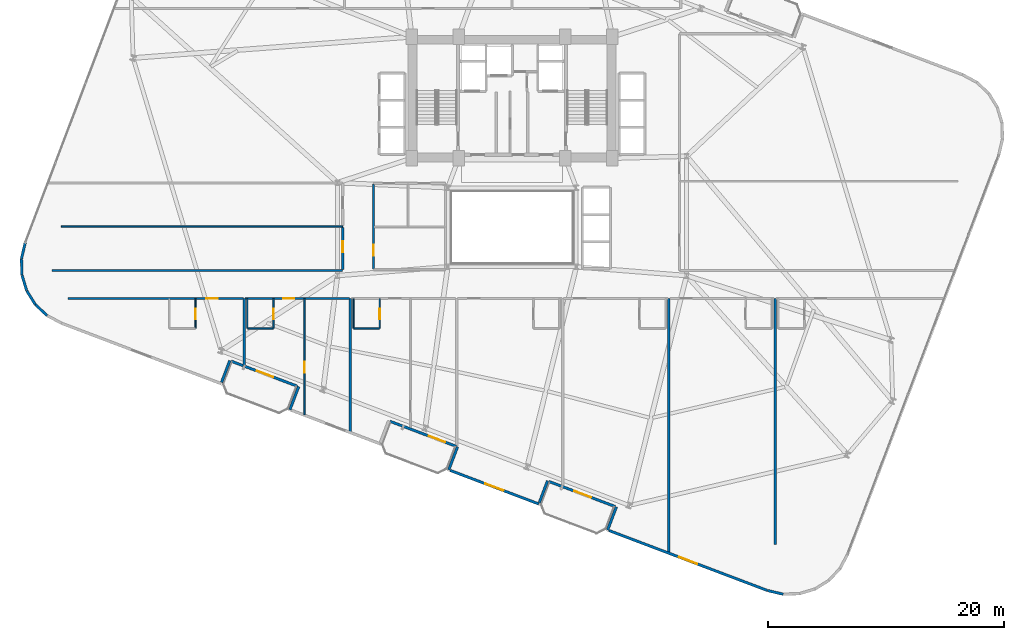
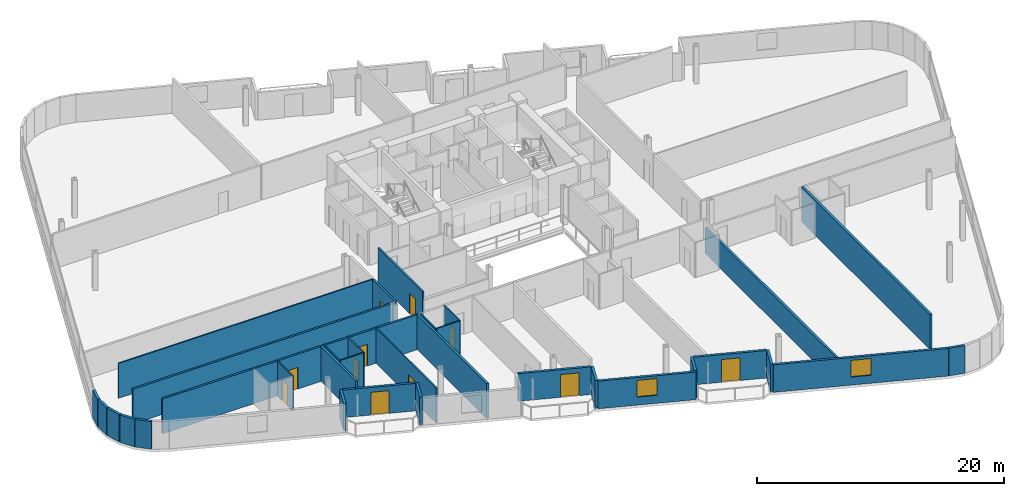
# One storey, part 17 of 25: 34 walls, 11 doors, 2 windows, 13 openings.
"""IFC4 building model written with IfcOpenShell, lengths in metres."""

from ifc_helpers import new_model, si_unit, direction, frame, frame_2d, origin, place, context, subcontext, project, spatial, rectangle, extrude, material, layer, layer_set, type_object, element, fill, save


model = new_model("IFC4")

# Units and contexts
model_context = context("Model", 3, precision=1e-05, world=origin(), true_north=direction((0.0, 1.0)))
body_context = subcontext(model_context, "Body", "Model", "MODEL_VIEW")
ifc_project = project(units=[si_unit("LENGTHUNIT", "METRE"), si_unit("AREAUNIT", "SQUARE_METRE"), si_unit("VOLUMEUNIT", "CUBIC_METRE"), si_unit("PLANEANGLEUNIT", "RADIAN"), si_unit("MASSUNIT", "GRAM", prefix="KILO")], contexts=[model_context])

# Site, building, storey
site_placement = place(None, origin())
site = spatial("IfcSite", under=ifc_project, at=site_placement, CompositionType="ELEMENT")
building_placement = place(site_placement, origin())
building = spatial("IfcBuilding", under=site, at=building_placement, Name="Varnelok Gate Tower", CompositionType="ELEMENT")
storey_placement = place(building_placement, frame((0.0, 0.0, 83.60009765625)))
storey = spatial("IfcBuildingStorey", under=building, at=storey_placement, Name="L20", CompositionType="ELEMENT", Elevation=83.60009765625)

# Wall, opening, door
ifc_material_1 = material(Name="Concrete C45/55", Category="concrete")
ifc_layer_1 = layer(ifc_material_1, 0.219970703125)
ifc_layer_set_1 = layer_set([ifc_layer_1], Name="Concrete C45/55")
wall_type_1 = type_object("IfcWallType", Name="EW-BALC-220", PredefinedType="SOLIDWALL", material=ifc_layer_set_1)
wall_1_placement = place(storey_placement, frame((21.00048828125, 9.42529296875, 0.0), z_axis=(0.0, 0.0, 1.0), x_axis=(-0.93521416643, 0.354082565101, 0.0)))
wall_1 = element("IfcWall", 1, at=wall_1_placement, inside=storey, type_object=wall_type_1, Name="L20 South Terrace Envelope Wall 1", PredefinedType="SOLIDWALL", context=body_context, shape_type="SweptSolid", body=[
    extrude(rectangle(XDim=6.0, YDim=0.219970703125, at=frame_2d((3.0, 0.0))), origin(), (0.0, 0.0, 1.0), 2.72998046875),
])
opening_1_placement = place(wall_1_placement, frame((2.176025390625, 0.0, 0.0)))
opening_1 = element("IfcOpeningElement", 2, at=opening_1_placement, cuts=wall_1, Name="Opening BD-1", PredefinedType="OPENING", context=body_context, shape_type="SweptSolid", body=[
    extrude(rectangle(XDim=1.5, YDim=2.25, at=frame_2d((0.75, 1.125))), frame((0.0, 0.119873046875, 0.0), z_axis=(0.0, -1.0, 0.0), x_axis=(1.0, 0.0, 0.0)), (0.0, 0.0, 1.0), 0.239990234375),
])
ifc_material_2 = material(Name="Anodized Aluminum Alloy 6063-T6", Category="aluminium")
door_type_1 = type_object("IfcDoorType", Name="DR-EXT-BALC1500", OperationType="NOTDEFINED", PredefinedType="DOOR", material=ifc_material_2)
door_1_placement = place(opening_1_placement, origin())
door_1 = element("IfcDoor", 3, at=door_1_placement, inside=storey, type_object=door_type_1, Name="L20 South Balcony Glazed Door 1", OperationType="SINGLE_SWING_RIGHT", OverallHeight=2.25, OverallWidth=1.5, PredefinedType="DOOR", context=body_context, shape_type="SweptSolid", body=[
    extrude(rectangle(XDim=1.5, YDim=2.25, at=frame_2d((0.75, 1.125))), frame((0.0, 0.02490234375, 0.0), z_axis=(0.0, -1.0, 0.0), x_axis=(1.0, 0.0, 0.0)), (0.0, 0.0, 1.0), 0.050048828125),
])
fill(opening_1, door_1)

wall_2_placement = place(storey_placement, frame((34.4677734375, 4.326904296875, 0.0), z_axis=(0.0, 0.0, 1.0), x_axis=(-0.9352192676, 0.354069091436, 0.0)))
wall_2 = element("IfcWall", 4, at=wall_2_placement, inside=storey, type_object=wall_type_1, Name="L20 South Terrace Envelope Wall 2", PredefinedType="SOLIDWALL", context=body_context, shape_type="SweptSolid", body=[
    extrude(rectangle(XDim=6.000244140625, YDim=0.219970703125, at=frame_2d((3.0, 0.0))), origin(), (0.0, 0.0, 1.0), 2.72998046875),
])
opening_2_placement = place(wall_2_placement, frame((0.991943359375, 0.0, 0.0)))
opening_2 = element("IfcOpeningElement", 5, at=opening_2_placement, cuts=wall_2, Name="Opening BD-1", PredefinedType="OPENING", context=body_context, shape_type="SweptSolid", body=[
    extrude(rectangle(XDim=1.5, YDim=2.25, at=frame_2d((0.75, 1.125))), frame((0.0, 0.119873046875, 0.0), z_axis=(0.0, -1.0, 0.0), x_axis=(1.0, 0.0, 0.0)), (0.0, 0.0, 1.0), 0.239990234375),
])
door_2_placement = place(opening_2_placement, origin())
door_2 = element("IfcDoor", 6, at=door_2_placement, inside=storey, type_object=door_type_1, Name="L20 South Balcony Glazed Door 2", OperationType="SINGLE_SWING_LEFT", OverallHeight=2.25, OverallWidth=1.5, PredefinedType="DOOR", context=body_context, shape_type="SweptSolid", body=[
    extrude(rectangle(XDim=1.5, YDim=2.25, at=frame_2d((0.75, 1.125))), frame((0.0, 0.02490234375, 0.0), z_axis=(0.0, -1.0, 0.0), x_axis=(1.0, 0.0, 0.0)), (0.0, 0.0, 1.0), 0.050048828125),
])
fill(opening_2, door_2)

wall_3_placement = place(storey_placement, frame((47.934814453125, -0.771484375, 0.0), z_axis=(0.0, 0.0, 1.0), x_axis=(-0.935227640088, 0.354046976001, 0.0)))
wall_3 = element("IfcWall", 7, at=wall_3_placement, inside=storey, type_object=wall_type_1, Name="L20 South Terrace Envelope Wall 3", PredefinedType="SOLIDWALL", context=body_context, shape_type="SweptSolid", body=[
    extrude(rectangle(XDim=6.0, YDim=0.219970703125, at=frame_2d((3.0, 0.0))), origin(), (0.0, 0.0, 1.0), 2.72998046875),
])
opening_3_placement = place(wall_3_placement, frame((2.176025390625, 0.0, 0.0)))
opening_3 = element("IfcOpeningElement", 8, at=opening_3_placement, cuts=wall_3, Name="Opening BD-1", PredefinedType="OPENING", context=body_context, shape_type="SweptSolid", body=[
    extrude(rectangle(XDim=1.5, YDim=2.25, at=frame_2d((0.75, 1.125))), frame((0.0, 0.119873046875, 0.0), z_axis=(0.0, -1.0, 0.0), x_axis=(1.0, 0.0, 0.0)), (0.0, 0.0, 1.0), 0.239990234375),
])
door_3_placement = place(opening_3_placement, origin())
door_3 = element("IfcDoor", 9, at=door_3_placement, inside=storey, type_object=door_type_1, Name="L20 South Balcony Glazed Door 3", OperationType="SINGLE_SWING_RIGHT", OverallHeight=2.25, OverallWidth=1.5, PredefinedType="DOOR", context=body_context, shape_type="SweptSolid", body=[
    extrude(rectangle(XDim=1.5, YDim=2.25, at=frame_2d((0.75, 1.125))), frame((0.0, 0.02490234375, 0.0), z_axis=(0.0, -1.0, 0.0), x_axis=(1.0, 0.0, 0.0)), (0.0, 0.0, 1.0), 0.050048828125),
])
fill(opening_3, door_3)

# Walls
wall_4_placement = place(storey_placement, frame((-2.072509765625, 21.571533203125, 0.0), z_axis=(0.0, 0.0, 1.0), x_axis=(-0.229049207401, -0.973414845063, 0.0)))
element("IfcWall", 10, at=wall_4_placement, inside=storey, type_object=wall_type_1, Name="L20 Perimeter Facade Closure Wall 1", PredefinedType="SOLIDWALL", context=body_context, shape_type="SweptSolid", body=[
    extrude(rectangle(XDim=1.378173828125, YDim=0.219970703125, at=frame_2d((0.68896484375, 0.0))), origin(), (0.0, 0.0, 1.0), 2.72998046875),
])
wall_5_placement = place(storey_placement, frame((-2.387451171875, 20.205078125, 0.0), z_axis=(0.0, 0.0, 1.0), x_axis=(0.030857297317, -0.999523800218, 0.0)))
element("IfcWall", 11, at=wall_5_placement, inside=storey, type_object=wall_type_1, Name="L20 Perimeter Facade Closure Wall 2", PredefinedType="SOLIDWALL", context=body_context, shape_type="SweptSolid", body=[
    extrude(rectangle(XDim=1.35302734375, YDim=0.219970703125, at=frame_2d((0.676513671875, 0.0))), origin(), (0.0, 0.0, 1.0), 2.72998046875),
])
wall_6_placement = place(storey_placement, frame((-2.33837890625, 18.82861328125, 0.0), z_axis=(0.0, 0.0, 1.0), x_axis=(0.288374187109, -0.957517795244, 0.0)))
element("IfcWall", 12, at=wall_6_placement, inside=storey, type_object=wall_type_1, Name="L20 Perimeter Facade Closure Wall 3", PredefinedType="SOLIDWALL", context=body_context, shape_type="SweptSolid", body=[
    extrude(rectangle(XDim=1.352783203125, YDim=0.219970703125, at=frame_2d((0.67626953125, 0.0))), origin(), (0.0, 0.0, 1.0), 2.72998046875),
])
wall_7_placement = place(storey_placement, frame((-1.93505859375, 17.511962890625, 0.0), z_axis=(0.0, 0.0, 1.0), x_axis=(0.526360826676, -0.850261301096, 0.0)))
element("IfcWall", 13, at=wall_7_placement, inside=storey, type_object=wall_type_1, Name="L20 Perimeter Facade Closure Wall 4", PredefinedType="SOLIDWALL", context=body_context, shape_type="SweptSolid", body=[
    extrude(rectangle(XDim=1.35302734375, YDim=0.219970703125, at=frame_2d((0.676513671875, 0.0))), origin(), (0.0, 0.0, 1.0), 2.72998046875),
])
wall_8_placement = place(storey_placement, frame((-1.20458984375, 16.344482421875, 0.0), z_axis=(0.0, 0.0, 1.0), x_axis=(0.7285124142, -0.685032599484, 0.0)))
element("IfcWall", 14, at=wall_8_placement, inside=storey, type_object=wall_type_1, Name="L20 Perimeter Facade Closure Wall 5", PredefinedType="SOLIDWALL", context=body_context, shape_type="SweptSolid", body=[
    extrude(rectangle(XDim=1.353271484375, YDim=0.219970703125, at=frame_2d((0.6767578125, 0.0))), origin(), (0.0, 0.0, 1.0), 2.72998046875),
])
wall_9_placement = place(storey_placement, frame((14.581298828125, 9.754638671875, 0.0), z_axis=(0.0, 0.0, 1.0), x_axis=(0.354061611705, 0.935222099352, 0.0)))
element("IfcWall", 15, at=wall_9_placement, inside=storey, type_object=wall_type_1, Name="L20 Perimeter Facade Closure Wall 8", PredefinedType="SOLIDWALL", context=body_context, shape_type="SweptSolid", body=[
    extrude(rectangle(XDim=1.974853515625, YDim=0.219970703125, at=frame_2d((0.9873046875, 0.0))), origin(), (0.0, 0.0, 1.0), 2.72998046875),
])
wall_10_placement = place(storey_placement, frame((21.1162109375, 9.392333984375, 0.0), z_axis=(0.0, 0.0, 1.0), x_axis=(-0.353988291547, -0.935249854022, 0.0)))
element("IfcWall", 16, at=wall_10_placement, inside=storey, type_object=wall_type_1, Name="L20 Perimeter Facade Closure Wall 9", PredefinedType="SOLIDWALL", context=body_context, shape_type="SweptSolid", body=[
    extrude(rectangle(XDim=2.10009765625, YDim=0.219970703125, at=frame_2d((1.050048828125, 0.0))), origin(), (0.0, 0.0, 1.0), 2.72998046875),
])
wall_11_placement = place(storey_placement, frame((34.58349609375, 4.293701171875, 0.0), z_axis=(0.0, 0.0, 1.0), x_axis=(-0.354128469405, -0.935196785258, 0.0)))
element("IfcWall", 17, at=wall_11_placement, inside=storey, type_object=wall_type_1, Name="L20 Perimeter Facade Closure Wall 12", PredefinedType="SOLIDWALL", context=body_context, shape_type="SweptSolid", body=[
    extrude(rectangle(XDim=2.099853515625, YDim=0.219970703125, at=frame_2d((1.0498046875, 0.0))), origin(), (0.0, 0.0, 1.0), 2.72998046875),
])

# Wall, opening, window
wall_12_placement = place(storey_placement, frame((33.956787109375, 2.28564453125, 0.0), z_axis=(0.0, 0.0, 1.0), x_axis=(0.935220736163, -0.354065212427, 0.0)))
wall_12 = element("IfcWall", 18, at=wall_12_placement, inside=storey, type_object=wall_type_1, Name="L20 Perimeter Facade Closure Wall 13", PredefinedType="SOLIDWALL", context=body_context, shape_type="SweptSolid", body=[
    extrude(rectangle(XDim=8.03515625, YDim=0.219970703125, at=frame_2d((4.017578125, 0.0))), origin(), (0.0, 0.0, 1.0), 2.72998046875),
])
opening_4_placement = place(wall_12_placement, frame((3.1923828125, 0.0, 0.800048828125)))
opening_4 = element("IfcOpeningElement", 19, at=opening_4_placement, cuts=wall_12, Name="Opening WN3", PredefinedType="OPENING", context=body_context, shape_type="SweptSolid", body=[
    extrude(rectangle(XDim=1.64990234375, YDim=1.64990234375, at=frame_2d((0.824951171875, 0.824951171875))), frame((0.0, 0.119873046875, 0.0), z_axis=(0.0, -1.0, 0.0), x_axis=(1.0, 0.0, 0.0)), (0.0, 0.0, 1.0), 0.239990234375),
])
ifc_material_3 = material(Name="Low-E Laminated Double Glazing IGU", Category="glass")
window_type = type_object("IfcWindowType", Name="WN-HTL-1650", PartitioningType="SINGLE_PANEL", PredefinedType="WINDOW", material=ifc_material_3)
window_1_placement = place(opening_4_placement, origin())
window_1 = element("IfcWindow", 20, at=window_1_placement, inside=storey, type_object=window_type, Name="L20 Perimeter Vision Window 13", OverallHeight=1.64990234375, OverallWidth=1.64990234375, PartitioningType="SINGLE_PANEL", PredefinedType="WINDOW", context=body_context, shape_type="SweptSolid", body=[
    extrude(rectangle(XDim=1.64990234375, YDim=1.64990234375, at=frame_2d((0.824951171875, 0.824951171875))), frame((0.0, 0.030029296875, 0.0), z_axis=(0.0, -1.0, 0.0), x_axis=(1.0, 0.0, 0.0)), (0.0, 0.0, 1.0), 0.06005859375),
])
fill(opening_4, window_1)

# Walls
wall_13_placement = place(storey_placement, frame((41.515625, -0.4423828125, 0.0), z_axis=(0.0, 0.0, 1.0), x_axis=(0.354061611705, 0.935222099352, 0.0)))
element("IfcWall", 21, at=wall_13_placement, inside=storey, type_object=wall_type_1, Name="L20 Perimeter Facade Closure Wall 14", PredefinedType="SOLIDWALL", context=body_context, shape_type="SweptSolid", body=[
    extrude(rectangle(XDim=1.974853515625, YDim=0.219970703125, at=frame_2d((0.9873046875, 0.0))), origin(), (0.0, 0.0, 1.0), 2.72998046875),
])
wall_14_placement = place(storey_placement, frame((48.050537109375, -0.8046875, 0.0), z_axis=(0.0, 0.0, 1.0), x_axis=(-0.353988291547, -0.935249854022, 0.0)))
element("IfcWall", 22, at=wall_14_placement, inside=storey, type_object=wall_type_1, Name="L20 Perimeter Facade Closure Wall 15", PredefinedType="SOLIDWALL", context=body_context, shape_type="SweptSolid", body=[
    extrude(rectangle(XDim=2.10009765625, YDim=0.219970703125, at=frame_2d((1.050048828125, 0.0))), origin(), (0.0, 0.0, 1.0), 2.72998046875),
])

# Wall, opening, window
wall_15_placement = place(storey_placement, frame((47.424072265625, -2.81298828125, 0.0), z_axis=(0.0, 0.0, 1.0), x_axis=(0.935225962032, -0.354051408614, 0.0)))
wall_15 = element("IfcWall", 23, at=wall_15_placement, inside=storey, type_object=wall_type_1, Name="L20 Perimeter Facade Closure Wall 16", PredefinedType="SOLIDWALL", context=body_context, shape_type="SweptSolid", body=[
    extrude(rectangle(XDim=14.346923828125, YDim=0.219970703125, at=frame_2d((7.17333984375, 0.0))), origin(), (0.0, 0.0, 1.0), 2.72998046875),
])
opening_5_placement = place(wall_15_placement, frame((6.348388671875, 0.0, 0.800048828125)))
opening_5 = element("IfcOpeningElement", 24, at=opening_5_placement, cuts=wall_15, Name="Opening WN3", PredefinedType="OPENING", context=body_context, shape_type="SweptSolid", body=[
    extrude(rectangle(XDim=1.64990234375, YDim=1.64990234375, at=frame_2d((0.824951171875, 0.824951171875))), frame((0.0, 0.119873046875, 0.0), z_axis=(0.0, -1.0, 0.0), x_axis=(1.0, 0.0, 0.0)), (0.0, 0.0, 1.0), 0.239990234375),
])
window_2_placement = place(opening_5_placement, origin())
window_2 = element("IfcWindow", 25, at=window_2_placement, inside=storey, type_object=window_type, Name="L20 Perimeter Vision Window 16", OverallHeight=1.64990234375, OverallWidth=1.64990234375, PartitioningType="SINGLE_PANEL", PredefinedType="WINDOW", context=body_context, shape_type="SweptSolid", body=[
    extrude(rectangle(XDim=1.64990234375, YDim=1.64990234375, at=frame_2d((0.824951171875, 0.824951171875))), frame((0.0, 0.030029296875, 0.0), z_axis=(0.0, -1.0, 0.0), x_axis=(1.0, 0.0, 0.0)), (0.0, 0.0, 1.0), 0.06005859375),
])
fill(opening_5, window_2)

# Wall
wall_16_placement = place(storey_placement, frame((60.8662109375, -7.8984375, 0.0), z_axis=(0.0, 0.0, 1.0), x_axis=(0.973405403345, -0.229089329169, 0.0)))
element("IfcWall", 26, at=wall_16_placement, inside=storey, type_object=wall_type_1, Name="L20 Perimeter Facade Closure Wall 17", PredefinedType="SOLIDWALL", context=body_context, shape_type="SweptSolid", body=[
    extrude(rectangle(XDim=1.36083984375, YDim=0.219970703125, at=frame_2d((0.680419921875, 0.0))), origin(), (0.0, 0.0, 1.0), 2.72998046875),
])

# Wall, opening, door
ifc_material_4 = material(Name="Gypsum Plasterboard Acoustic Partition", Category="gypsum")
ifc_layer_2 = layer(ifc_material_4, 0.179931640625)
ifc_layer_set_2 = layer_set([ifc_layer_2], Name="Gypsum Plasterboard Acoustic Partition")
wall_type_2 = type_object("IfcWallType", Name="PW-CORR-180", PredefinedType="PARTITIONING", material=ifc_layer_set_2)
wall_17_placement = place(storey_placement, frame((1.580078125, 16.85009765625, 0.0), z_axis=(0.0, 0.0, 1.0), x_axis=(1.0, 0.0, 0.0)))
wall_17 = element("IfcWall", 27, at=wall_17_placement, inside=storey, type_object=wall_type_2, Name="Interior Partition", PredefinedType="PARTITIONING", context=body_context, shape_type="SweptSolid", body=[
    extrude(rectangle(XDim=14.83984375, YDim=0.179931640625, at=frame_2d((7.419921875, 0.0))), origin(), (0.0, 0.0, 1.0), 3.449951171875),
])
opening_6_placement = place(wall_17_placement, frame((11.70458984375, 0.0, 0.0)))
opening_6 = element("IfcOpeningElement", 28, at=opening_6_placement, cuts=wall_17, Name="Opening D-HT", PredefinedType="OPENING", context=body_context, shape_type="SweptSolid", body=[
    extrude(rectangle(XDim=0.949951171875, YDim=2.14990234375, at=frame_2d((0.47509765625, 1.074951171875))), frame((0.0, 0.099853515625, 0.0), z_axis=(0.0, -1.0, 0.0), x_axis=(1.0, 0.0, 0.0)), (0.0, 0.0, 1.0), 0.199951171875),
])
ifc_material_5 = material(Name="Engineered Hardwood Timber", Category="wood")
door_type_2 = type_object("IfcDoorType", Name="DR-HTL-950", OperationType="NOTDEFINED", PredefinedType="DOOR", material=ifc_material_5)
door_4_placement = place(opening_6_placement, origin())
door_4 = element("IfcDoor", 29, at=door_4_placement, inside=storey, type_object=door_type_2, Name="L20 Guest Room 01 Entrance Door", OperationType="SINGLE_SWING_RIGHT", OverallHeight=2.14990234375, OverallWidth=0.949951171875, PredefinedType="DOOR", context=body_context, shape_type="SweptSolid", body=[
    extrude(rectangle(XDim=0.949951171875, YDim=2.14990234375, at=frame_2d((0.47509765625, 1.074951171875))), frame((0.0, 0.02490234375, 0.0), z_axis=(0.0, -1.0, 0.0), x_axis=(1.0, 0.0, 0.0)), (0.0, 0.0, 1.0), 0.050048828125),
])
fill(opening_6, door_4)

wall_18_placement = place(storey_placement, frame((16.580078125, 16.85009765625, 0.0), z_axis=(0.0, 0.0, 1.0), x_axis=(1.0, 0.0, 0.0)))
wall_18 = element("IfcWall", 30, at=wall_18_placement, inside=storey, type_object=wall_type_2, Name="Interior Partition", PredefinedType="PARTITIONING", context=body_context, shape_type="SweptSolid", body=[
    extrude(rectangle(XDim=8.83984375, YDim=0.179931640625, at=frame_2d((4.419921875, 0.0))), origin(), (0.0, 0.0, 1.0), 3.449951171875),
])
opening_7_placement = place(wall_18_placement, frame((3.22998046875, 0.0, 0.0)))
opening_7 = element("IfcOpeningElement", 31, at=opening_7_placement, cuts=wall_18, Name="Opening D-HT", PredefinedType="OPENING", context=body_context, shape_type="SweptSolid", body=[
    extrude(rectangle(XDim=0.949951171875, YDim=2.14990234375, at=frame_2d((0.47509765625, 1.074951171875))), frame((0.0, 0.099853515625, 0.0), z_axis=(0.0, -1.0, 0.0), x_axis=(1.0, 0.0, 0.0)), (0.0, 0.0, 1.0), 0.199951171875),
])
door_5_placement = place(opening_7_placement, origin())
door_5 = element("IfcDoor", 32, at=door_5_placement, inside=storey, type_object=door_type_2, Name="L20 Guest Room 02 Entrance Door", OperationType="SINGLE_SWING_LEFT", OverallHeight=2.14990234375, OverallWidth=0.949951171875, PredefinedType="DOOR", context=body_context, shape_type="SweptSolid", body=[
    extrude(rectangle(XDim=0.949951171875, YDim=2.14990234375, at=frame_2d((0.47509765625, 1.074951171875))), frame((0.0, 0.02490234375, 0.0), z_axis=(0.0, -1.0, 0.0), x_axis=(1.0, 0.0, 0.0)), (0.0, 0.0, 1.0), 0.050048828125),
])
fill(opening_7, door_5)

wall_19_placement = place(storey_placement, frame((24.85009765625, 19.300048828125, 0.0), z_axis=(0.0, 0.0, 1.0), x_axis=(0.0, 1.0, 0.0)))
wall_19 = element("IfcWall", 33, at=wall_19_placement, inside=storey, type_object=wall_type_2, Name="Interior Partition", PredefinedType="PARTITIONING", context=body_context, shape_type="SweptSolid", body=[
    extrude(rectangle(XDim=3.570068359375, YDim=0.179931640625, at=frame_2d((1.78515625, 0.0))), origin(), (0.0, 0.0, 1.0), 3.449951171875),
])
opening_8_placement = place(wall_19_placement, frame((1.49951171875, 0.0, 0.0)))
opening_8 = element("IfcOpeningElement", 34, at=opening_8_placement, cuts=wall_19, Name="Opening D-I3", PredefinedType="OPENING", context=body_context, shape_type="SweptSolid", body=[
    extrude(rectangle(XDim=0.919921875, YDim=2.050048828125, at=frame_2d((0.4599609375, 1.02490234375))), frame((0.0, 0.099853515625, 0.0), z_axis=(0.0, -1.0, 0.0), x_axis=(1.0, 0.0, 0.0)), (0.0, 0.0, 1.0), 0.199951171875),
])
door_type_3 = type_object("IfcDoorType", Name="DR-INT-920", OperationType="NOTDEFINED", PredefinedType="DOOR", material=ifc_material_5)
door_6_placement = place(opening_8_placement, origin())
door_6 = element("IfcDoor", 35, at=door_6_placement, inside=storey, type_object=door_type_3, Name="L20 West Wing Room 1 Door", OperationType="SINGLE_SWING_LEFT", OverallHeight=2.050048828125, OverallWidth=0.919921875, PredefinedType="DOOR", context=body_context, shape_type="SweptSolid", body=[
    extrude(rectangle(XDim=0.919921875, YDim=2.050048828125, at=frame_2d((0.4599609375, 1.02490234375))), frame((0.0, 0.02490234375, 0.0), z_axis=(0.0, -1.0, 0.0), x_axis=(1.0, 0.0, 0.0)), (0.0, 0.0, 1.0), 0.050048828125),
])
fill(opening_8, door_6)

# Wall
wall_20_placement = place(storey_placement, frame((0.199951171875, 19.239990234375, 0.0), z_axis=(0.0, 0.0, 1.0), x_axis=(1.0, 0.0, 0.0)))
element("IfcWall", 36, at=wall_20_placement, inside=storey, type_object=wall_type_2, Name="Interior Partition", PredefinedType="PARTITIONING", context=body_context, shape_type="SweptSolid", body=[
    extrude(rectangle(XDim=24.650146484375, YDim=0.179931640625, at=frame_2d((12.3251953125, 0.0))), origin(), (0.0, 0.0, 1.0), 3.449951171875),
])

# Wall, opening, door
ifc_layer_3 = layer(ifc_material_4, 0.114990234375)
ifc_layer_set_3 = layer_set([ifc_layer_3], Name="Gypsum Plasterboard Acoustic Partition")
wall_type_3 = type_object("IfcWallType", Name="PW-ENS-125", PredefinedType="PARTITIONING", material=ifc_layer_set_3)
wall_21_placement = place(storey_placement, frame((12.3701171875, 14.330078125, 0.0), z_axis=(0.0, 0.0, 1.0), x_axis=(0.0, 1.0, 0.0)))
wall_21 = element("IfcWall", 37, at=wall_21_placement, inside=storey, type_object=wall_type_3, Name="Interior Partition", PredefinedType="PARTITIONING", context=body_context, shape_type="SweptSolid", body=[
    extrude(rectangle(XDim=2.52001953125, YDim=0.114990234375, at=frame_2d((1.260009765625, 0.0))), origin(), (0.0, 0.0, 1.0), 3.449951171875),
])
opening_9_placement = place(wall_21_placement, frame((0.760009765625, 0.0, 0.0)))
opening_9 = element("IfcOpeningElement", 38, at=opening_9_placement, cuts=wall_21, Name="Opening D-WC", PredefinedType="OPENING", context=body_context, shape_type="SweptSolid", body=[
    extrude(rectangle(XDim=0.89990234375, YDim=2.050048828125, at=frame_2d((0.449951171875, 1.02490234375))), frame((0.0, 0.0673828125, 0.0), z_axis=(0.0, -1.0, 0.0), x_axis=(1.0, 0.0, 0.0)), (0.0, 0.0, 1.0), 0.135009765625),
])
door_type_4 = type_object("IfcDoorType", Name="DR-BATH-900", OperationType="NOTDEFINED", PredefinedType="DOOR", material=ifc_material_5)
door_7_placement = place(opening_9_placement, origin())
door_7 = element("IfcDoor", 39, at=door_7_placement, inside=storey, type_object=door_type_4, Name="L20 Guest En-Suite 01 Door", OperationType="SINGLE_SWING_LEFT", OverallHeight=2.050048828125, OverallWidth=0.89990234375, PredefinedType="DOOR", context=body_context, shape_type="SweptSolid", body=[
    extrude(rectangle(XDim=0.89990234375, YDim=2.050048828125, at=frame_2d((0.449951171875, 1.02490234375))), frame((0.0, 0.02490234375, 0.0), z_axis=(0.0, -1.0, 0.0), x_axis=(1.0, 0.0, 0.0)), (0.0, 0.0, 1.0), 0.050048828125),
])
fill(opening_9, door_7)

# Wall
wall_22_placement = place(storey_placement, frame((16.800048828125, 14.330078125, 0.0), z_axis=(0.0, 0.0, 1.0), x_axis=(1.0, 0.0, 0.0)))
element("IfcWall", 40, at=wall_22_placement, inside=storey, type_object=wall_type_3, Name="Interior Partition", PredefinedType="PARTITIONING", context=body_context, shape_type="SweptSolid", body=[
    extrude(rectangle(XDim=2.14990234375, YDim=0.114990234375, at=frame_2d((1.074951171875, 0.0))), origin(), (0.0, 0.0, 1.0), 3.449951171875),
])

# Wall, opening, door
wall_23_placement = place(storey_placement, frame((18.989990234375, 14.330078125, 0.0), z_axis=(0.0, 0.0, 1.0), x_axis=(0.0, 1.0, 0.0)))
wall_23 = element("IfcWall", 41, at=wall_23_placement, inside=storey, type_object=wall_type_3, Name="Interior Partition", PredefinedType="PARTITIONING", context=body_context, shape_type="SweptSolid", body=[
    extrude(rectangle(XDim=2.52001953125, YDim=0.114990234375, at=frame_2d((1.260009765625, 0.0))), origin(), (0.0, 0.0, 1.0), 3.449951171875),
])
opening_10_placement = place(wall_23_placement, frame((0.760009765625, 0.0, 0.0)))
opening_10 = element("IfcOpeningElement", 42, at=opening_10_placement, cuts=wall_23, Name="Opening D-WC", PredefinedType="OPENING", context=body_context, shape_type="SweptSolid", body=[
    extrude(rectangle(XDim=0.89990234375, YDim=2.050048828125, at=frame_2d((0.449951171875, 1.02490234375))), frame((0.0, 0.0673828125, 0.0), z_axis=(0.0, -1.0, 0.0), x_axis=(1.0, 0.0, 0.0)), (0.0, 0.0, 1.0), 0.135009765625),
])
door_8_placement = place(opening_10_placement, origin())
door_8 = element("IfcDoor", 43, at=door_8_placement, inside=storey, type_object=door_type_4, Name="L20 Guest En-Suite 02 Door", OperationType="SINGLE_SWING_LEFT", OverallHeight=2.050048828125, OverallWidth=0.89990234375, PredefinedType="DOOR", context=body_context, shape_type="SweptSolid", body=[
    extrude(rectangle(XDim=0.89990234375, YDim=2.050048828125, at=frame_2d((0.449951171875, 1.02490234375))), frame((0.0, 0.02490234375, 0.0), z_axis=(0.0, -1.0, 0.0), x_axis=(1.0, 0.0, 0.0)), (0.0, 0.0, 1.0), 0.050048828125),
])
fill(opening_10, door_8)

# Walls
wall_24_placement = place(storey_placement, frame((16.760009765625, 14.330078125, 0.0), z_axis=(0.0, 0.0, 1.0), x_axis=(0.0, 1.0, 0.0)))
element("IfcWall", 44, at=wall_24_placement, inside=storey, type_object=wall_type_3, Name="Interior Partition", PredefinedType="PARTITIONING", context=body_context, shape_type="SweptSolid", body=[
    extrude(rectangle(XDim=2.52001953125, YDim=0.114990234375, at=frame_2d((1.260009765625, 0.0))), origin(), (0.0, 0.0, 1.0), 3.449951171875),
])
wall_25_placement = place(storey_placement, frame((25.800048828125, 14.330078125, 0.0), z_axis=(0.0, 0.0, 1.0), x_axis=(1.0, 0.0, 0.0)))
element("IfcWall", 45, at=wall_25_placement, inside=storey, type_object=wall_type_3, Name="Interior Partition", PredefinedType="PARTITIONING", context=body_context, shape_type="SweptSolid", body=[
    extrude(rectangle(XDim=2.14990234375, YDim=0.114990234375, at=frame_2d((1.074951171875, 0.0))), origin(), (0.0, 0.0, 1.0), 3.449951171875),
])

# Wall, opening, door
wall_26_placement = place(storey_placement, frame((27.989990234375, 14.330078125, 0.0), z_axis=(0.0, 0.0, 1.0), x_axis=(0.0, 1.0, 0.0)))
wall_26 = element("IfcWall", 46, at=wall_26_placement, inside=storey, type_object=wall_type_3, Name="Interior Partition", PredefinedType="PARTITIONING", context=body_context, shape_type="SweptSolid", body=[
    extrude(rectangle(XDim=2.52001953125, YDim=0.114990234375, at=frame_2d((1.260009765625, 0.0))), origin(), (0.0, 0.0, 1.0), 3.449951171875),
])
opening_11_placement = place(wall_26_placement, frame((0.760009765625, 0.0, 0.0)))
opening_11 = element("IfcOpeningElement", 47, at=opening_11_placement, cuts=wall_26, Name="Opening D-WC", PredefinedType="OPENING", context=body_context, shape_type="SweptSolid", body=[
    extrude(rectangle(XDim=0.89990234375, YDim=2.050048828125, at=frame_2d((0.449951171875, 1.02490234375))), frame((0.0, 0.0673828125, 0.0), z_axis=(0.0, -1.0, 0.0), x_axis=(1.0, 0.0, 0.0)), (0.0, 0.0, 1.0), 0.135009765625),
])
door_9_placement = place(opening_11_placement, origin())
door_9 = element("IfcDoor", 48, at=door_9_placement, inside=storey, type_object=door_type_4, Name="L20 Guest En-Suite 03 Door", OperationType="SINGLE_SWING_LEFT", OverallHeight=2.050048828125, OverallWidth=0.89990234375, PredefinedType="DOOR", context=body_context, shape_type="SweptSolid", body=[
    extrude(rectangle(XDim=0.89990234375, YDim=2.050048828125, at=frame_2d((0.449951171875, 1.02490234375))), frame((0.0, 0.02490234375, 0.0), z_axis=(0.0, -1.0, 0.0), x_axis=(1.0, 0.0, 0.0)), (0.0, 0.0, 1.0), 0.050048828125),
])
fill(opening_11, door_9)

# Wall
wall_27_placement = place(storey_placement, frame((25.760009765625, 14.330078125, 0.0), z_axis=(0.0, 0.0, 1.0), x_axis=(0.0, 1.0, 0.0)))
element("IfcWall", 49, at=wall_27_placement, inside=storey, type_object=wall_type_3, Name="Interior Partition", PredefinedType="PARTITIONING", context=body_context, shape_type="SweptSolid", body=[
    extrude(rectangle(XDim=2.52001953125, YDim=0.114990234375, at=frame_2d((1.260009765625, 0.0))), origin(), (0.0, 0.0, 1.0), 3.449951171875),
])

# Wall, opening, door
ifc_layer_4 = layer(ifc_material_4, 0.125)
ifc_layer_set_4 = layer_set([ifc_layer_4], Name="Gypsum Plasterboard Acoustic Partition")
wall_type_4 = type_object("IfcWallType", Name="PW-PART-125", PredefinedType="PARTITIONING", material=ifc_layer_set_4)
wall_28_placement = place(storey_placement, frame((21.60009765625, 6.985107421875, 0.0), z_axis=(0.0, 0.0, 1.0), x_axis=(0.0, 1.0, 0.0)))
wall_28 = element("IfcWall", 50, at=wall_28_placement, inside=storey, type_object=wall_type_4, Name="Interior Partition", PredefinedType="PARTITIONING", context=body_context, shape_type="SweptSolid", body=[
    extrude(rectangle(XDim=9.864990234375, YDim=0.125, at=frame_2d((4.9326171875, 0.0))), origin(), (0.0, 0.0, 1.0), 3.449951171875),
])
opening_12_placement = place(wall_28_placement, frame((3.578125, 0.0, 0.0)))
opening_12 = element("IfcOpeningElement", 51, at=opening_12_placement, cuts=wall_28, Name="Opening D-I3", PredefinedType="OPENING", context=body_context, shape_type="SweptSolid", body=[
    extrude(rectangle(XDim=0.919921875, YDim=2.050048828125, at=frame_2d((0.4599609375, 1.02490234375))), frame((0.0, 0.072509765625, 0.0), z_axis=(0.0, -1.0, 0.0), x_axis=(1.0, 0.0, 0.0)), (0.0, 0.0, 1.0), 0.14501953125),
])
door_10_placement = place(opening_12_placement, origin())
door_10 = element("IfcDoor", 52, at=door_10_placement, inside=storey, type_object=door_type_3, Name="L20 Suite Bedroom Door 2", OperationType="SINGLE_SWING_LEFT", OverallHeight=2.050048828125, OverallWidth=0.919921875, PredefinedType="DOOR", context=body_context, shape_type="SweptSolid", body=[
    extrude(rectangle(XDim=0.919921875, YDim=2.050048828125, at=frame_2d((0.4599609375, 1.02490234375))), frame((0.0, 0.02490234375, 0.0), z_axis=(0.0, -1.0, 0.0), x_axis=(1.0, 0.0, 0.0)), (0.0, 0.0, 1.0), 0.050048828125),
])
fill(opening_12, door_10)

# Wall
wall_29_placement = place(storey_placement, frame((1.0, 22.949951171875, 0.0), z_axis=(0.0, 0.0, 1.0), x_axis=(1.0, 0.0, 0.0)))
element("IfcWall", 53, at=wall_29_placement, inside=storey, type_object=wall_type_4, Name="Interior Partition", PredefinedType="PARTITIONING", context=body_context, shape_type="SweptSolid", body=[
    extrude(rectangle(XDim=23.85009765625, YDim=0.125, at=frame_2d((11.925048828125, 0.0))), origin(), (0.0, 0.0, 1.0), 3.449951171875),
])

# Wall, opening, door
ifc_layer_5 = layer(ifc_material_4, 0.14990234375)
ifc_layer_set_5 = layer_set([ifc_layer_5], Name="Gypsum Plasterboard Acoustic Partition")
wall_type_5 = type_object("IfcWallType", Name="PW-PART-150", PredefinedType="PARTITIONING", material=ifc_layer_set_5)
wall_30_placement = place(storey_placement, frame((27.4599609375, 19.3798828125, 0.0), z_axis=(0.0, 0.0, 1.0), x_axis=(0.0, 1.0, 0.0)))
wall_30 = element("IfcWall", 54, at=wall_30_placement, inside=storey, type_object=wall_type_5, Name="Interior Partition", PredefinedType="PARTITIONING", context=body_context, shape_type="SweptSolid", body=[
    extrude(rectangle(XDim=7.16015625, YDim=0.14990234375, at=frame_2d((3.580078125, 0.0))), origin(), (0.0, 0.0, 1.0), 3.449951171875),
])
opening_13_placement = place(wall_30_placement, frame((1.10009765625, 0.0, 0.0)))
opening_13 = element("IfcOpeningElement", 55, at=opening_13_placement, cuts=wall_30, Name="Opening D-I2", PredefinedType="OPENING", context=body_context, shape_type="SweptSolid", body=[
    extrude(rectangle(XDim=0.949951171875, YDim=2.050048828125, at=frame_2d((0.47509765625, 1.02490234375))), frame((0.0, 0.0849609375, 0.0), z_axis=(0.0, -1.0, 0.0), x_axis=(1.0, 0.0, 0.0)), (0.0, 0.0, 1.0), 0.169921875),
])
door_type_5 = type_object("IfcDoorType", Name="DR-INT-950", OperationType="NOTDEFINED", PredefinedType="DOOR", material=ifc_material_5)
door_11_placement = place(opening_13_placement, origin())
door_11 = element("IfcDoor", 56, at=door_11_placement, inside=storey, type_object=door_type_5, Name="L20 Private Client Consultation Office Door", OperationType="SINGLE_SWING_LEFT", OverallHeight=2.050048828125, OverallWidth=0.949951171875, PredefinedType="DOOR", context=body_context, shape_type="SweptSolid", body=[
    extrude(rectangle(XDim=0.949951171875, YDim=2.050048828125, at=frame_2d((0.47509765625, 1.02490234375))), frame((0.0, 0.02490234375, 0.0), z_axis=(0.0, -1.0, 0.0), x_axis=(1.0, 0.0, 0.0)), (0.0, 0.0, 1.0), 0.050048828125),
])
fill(opening_13, door_11)

# Walls
ifc_layer_6 = layer(ifc_material_4, 0.205078125)
ifc_layer_set_6 = layer_set([ifc_layer_6], Name="Gypsum Plasterboard Acoustic Partition")
wall_type_6 = type_object("IfcWallType", Name="PW-PARTY-200", PredefinedType="PARTITIONING", material=ifc_layer_set_6)
wall_31_placement = place(storey_placement, frame((16.5, 11.161376953125, 0.0), z_axis=(0.0, 0.0, 1.0), x_axis=(0.0, 1.0, 0.0)))
element("IfcWall", 57, at=wall_31_placement, inside=storey, type_object=wall_type_6, Name="L20 South Party Wall 1", PredefinedType="PARTITIONING", context=body_context, shape_type="SweptSolid", body=[
    extrude(rectangle(XDim=5.688720703125, YDim=0.205078125, at=frame_2d((2.84423828125, 0.0))), origin(), (0.0, 0.0, 1.0), 3.449951171875),
])
wall_32_placement = place(storey_placement, frame((25.5, 5.508544921875, 0.0), z_axis=(0.0, 0.0, 1.0), x_axis=(0.0, 1.0, 0.0)))
element("IfcWall", 58, at=wall_32_placement, inside=storey, type_object=wall_type_6, Name="L20 South Party Wall 2", PredefinedType="PARTITIONING", context=body_context, shape_type="SweptSolid", body=[
    extrude(rectangle(XDim=11.341552734375, YDim=0.205078125, at=frame_2d((5.6708984375, 0.0))), origin(), (0.0, 0.0, 1.0), 3.449951171875),
])
wall_33_placement = place(storey_placement, frame((52.5, -4.629638671875, 0.0), z_axis=(0.0, 0.0, 1.0), x_axis=(0.0, 1.0, 0.0)))
element("IfcWall", 59, at=wall_33_placement, inside=storey, type_object=wall_type_6, Name="L20 South Party Wall 5", PredefinedType="PARTITIONING", context=body_context, shape_type="SweptSolid", body=[
    extrude(rectangle(XDim=21.479736328125, YDim=0.205078125, at=frame_2d((10.73974609375, 0.0))), origin(), (0.0, 0.0, 1.0), 2.579833984375),
])
wall_34_placement = place(storey_placement, frame((61.5, -4.0, 0.0), z_axis=(0.0, 0.0, 1.0), x_axis=(0.0, 1.0, 0.0)))
element("IfcWall", 60, at=wall_34_placement, inside=storey, type_object=wall_type_6, Name="L20 South Party Wall 6", PredefinedType="PARTITIONING", context=body_context, shape_type="SweptSolid", body=[
    extrude(rectangle(XDim=20.85009765625, YDim=0.205078125, at=frame_2d((10.425048828125, 0.0))), origin(), (0.0, 0.0, 1.0), 3.449951171875),
])

save(model, "model.ifc")
